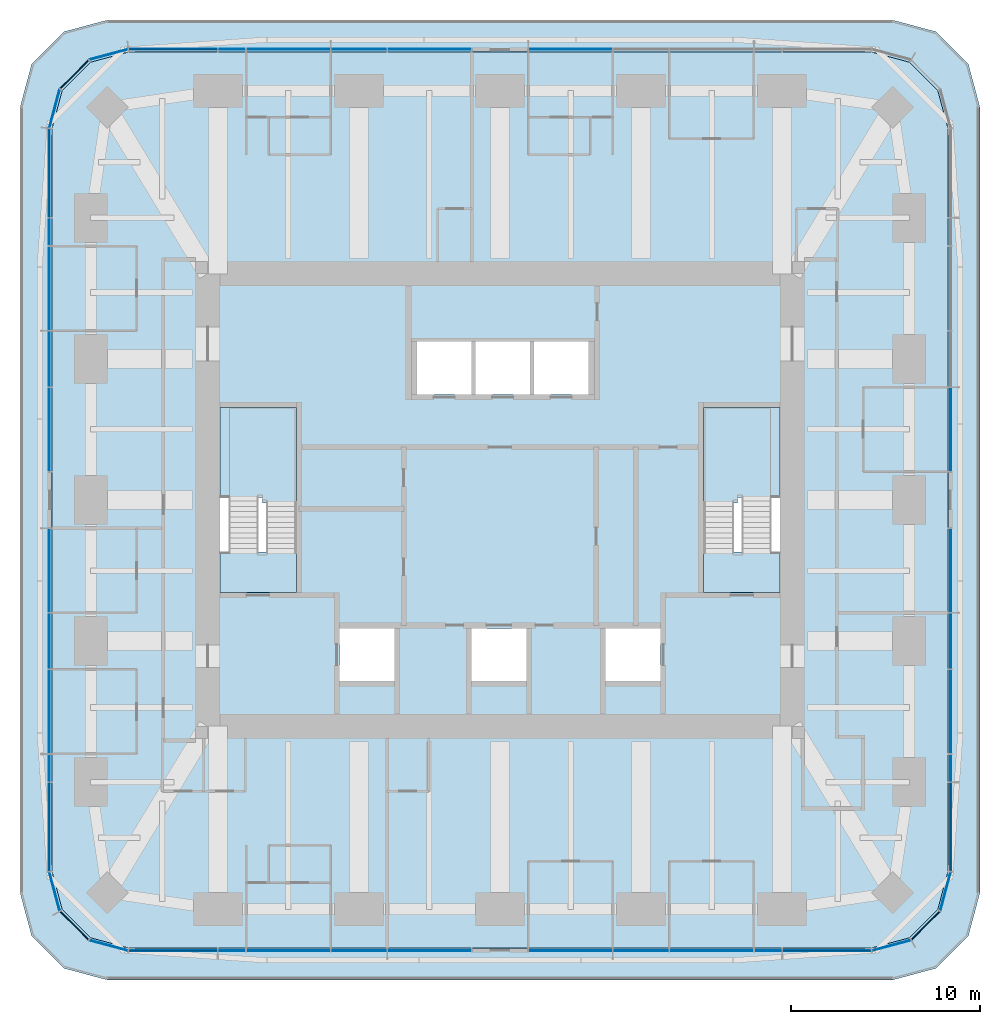
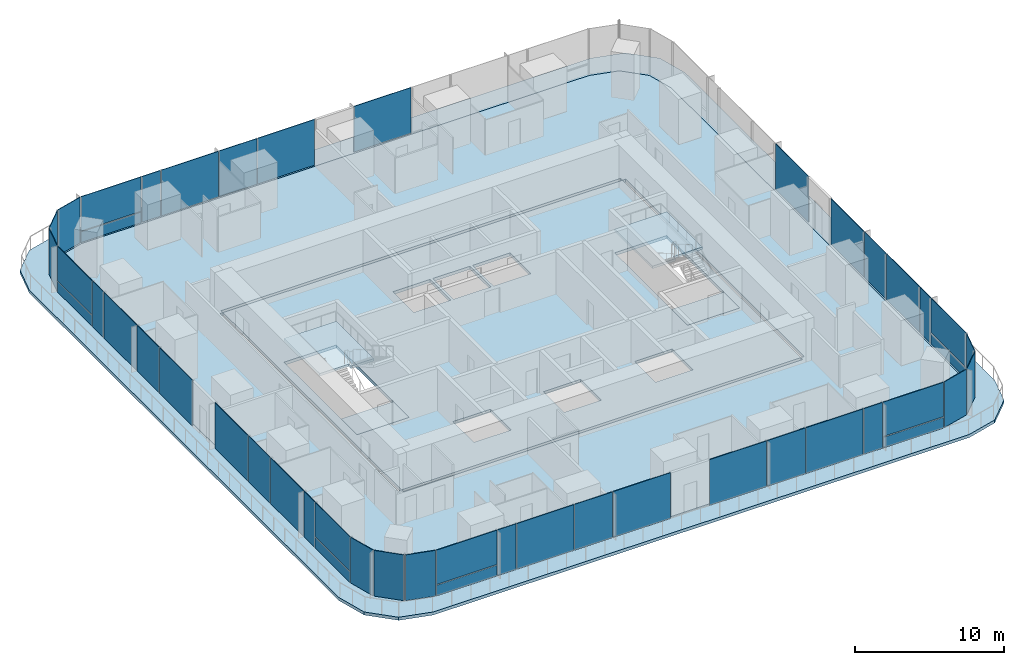
# One storey, part 7 of 15: 47 plates, 7 slabs, 9 elements without a shape of their own.
"""IFC4 building model written with IfcOpenShell, lengths in metres."""

from ifc_helpers import new_model, si_unit, direction, frame, origin, origin_2d, place, context, subcontext, project, spatial, polyline, rectangle, outline, extrude, material, layer, layer_set, type_object, element, aggregate, save


model = new_model("IFC4")

# Units and contexts
model_context = context("Model", 3, precision=1e-05, world=origin(), true_north=direction((0.0, 1.0)))
body_context = subcontext(model_context, "Body", "Model", "MODEL_VIEW")
ifc_project = project(units=[si_unit("LENGTHUNIT", "METRE"), si_unit("AREAUNIT", "SQUARE_METRE"), si_unit("VOLUMEUNIT", "CUBIC_METRE"), si_unit("PLANEANGLEUNIT", "RADIAN"), si_unit("MASSUNIT", "GRAM", prefix="KILO")], contexts=[model_context])

# Site, building, storey
site_placement = place(None, origin())
site = spatial("IfcSite", under=ifc_project, at=site_placement, CompositionType="ELEMENT")
building_placement = place(site_placement, origin())
building = spatial("IfcBuilding", under=site, at=building_placement, Name="Khuree Lantern Residences", CompositionType="ELEMENT")
storey_placement = place(building_placement, frame((0.0, 0.0, 285.75)))
storey = spatial("IfcBuildingStorey", under=building, at=storey_placement, Name="L71", CompositionType="ELEMENT", Elevation=285.75)

# Slab
ifc_material_1 = material(Name="Concrete C35/45", Category="concrete")
ifc_layer_1 = layer(ifc_material_1, 0.25)
ifc_layer_set_1 = layer_set([ifc_layer_1], Name="CFL250 CORE FLOOR SLAB 250")
slab_type_1 = type_object("IfcSlabType", Name="CFL250 CORE FLOOR SLAB 250", PredefinedType="FLOOR", material=ifc_layer_set_1)
slab_1_placement = place(storey_placement, frame((0.0, 0.0, -0.25)))
element("IfcSlab", 1, at=slab_1_placement, inside=storey, type_object=slab_type_1, Name="Core floor L71", PredefinedType="FLOOR", context=body_context, shape_type="SweptSolid", body=[
    extrude(outline(polyline([(-15.5, -12.0), (-15.5, 12.0), (15.5, 12.0), (15.5, -12.0), (-15.5, -12.0)]), holes=[polyline([(10.800048828125, 4.89990234375), (10.800048828125, -4.89990234375), (14.85009765625, -4.89990234375), (14.85009765625, 4.89990234375), (10.800048828125, 4.89990234375)]), polyline([(5.60009765625, -6.800048828125), (5.60009765625, -9.60009765625), (8.5, -9.60009765625), (8.5, -6.800048828125), (5.60009765625, -6.800048828125)]), polyline([(1.800048828125, 8.39990234375), (1.800048828125, 5.60009765625), (4.699951171875, 5.60009765625), (4.699951171875, 8.39990234375), (1.800048828125, 8.39990234375)]), polyline([(-1.300048828125, 8.39990234375), (-1.300048828125, 5.60009765625), (1.60009765625, 5.60009765625), (1.60009765625, 8.39990234375), (-1.300048828125, 8.39990234375)]), polyline([(-1.5, -6.800048828125), (-1.5, -9.60009765625), (1.39990234375, -9.60009765625), (1.39990234375, -6.800048828125), (-1.5, -6.800048828125)]), polyline([(-4.39990234375, 8.39990234375), (-4.39990234375, 5.60009765625), (-1.5, 5.60009765625), (-1.5, 8.39990234375), (-4.39990234375, 8.39990234375)]), polyline([(-8.5, -6.800048828125), (-8.5, -9.60009765625), (-5.60009765625, -9.60009765625), (-5.60009765625, -6.800048828125), (-8.5, -6.800048828125)]), polyline([(-14.85009765625, 4.89990234375), (-14.85009765625, -4.89990234375), (-10.800048828125, -4.89990234375), (-10.800048828125, 4.89990234375), (-14.85009765625, 4.89990234375)])]), origin(), (0.0, 0.0, 1.0), 0.25),
])

# Curtain wall, plates
ifc_material_2 = material(Name="Bronze anodised aluminium", Category="aluminium")
curtain_wall_type_1 = type_object("IfcCurtainWallType", Name="CW-T2 TOWER CORNER CURTAIN WALL", PredefinedType="USERDEFINED", material=ifc_material_2)
curtain_wall_1_placement = place(storey_placement, origin())
curtain_wall_1 = element("IfcCurtainWall", 2, at=curtain_wall_1_placement, inside=storey, type_object=curtain_wall_type_1, Name="L71 SOUTH-EAST CORNER CURTAIN WALL", ObjectType="Faceted corner curtain wall", PredefinedType="USERDEFINED")
ifc_material_3 = material(Name="Bronze tinted triple glazing", Category="glass")
ifc_layer_2 = layer(ifc_material_3, 0.048095703125)
ifc_layer_set_2 = layer_set([ifc_layer_2], Name="FACET PANEL P4")
plate_type_1 = type_object("IfcPlateType", Name="FACET PANEL P4", PredefinedType="CURTAIN_PANEL", material=ifc_layer_set_2)
plate_1_placement = place(storey_placement, frame((20.748046875, -23.619140625, 0.0), z_axis=(0.0, 0.0, 1.0), x_axis=(0.965925861257, 0.2588189146, 0.0)))
plate_1 = element("IfcPlate", 3, at=plate_1_placement, type_object=plate_type_1, Name="L71 SOUTH-EAST CORNER PANEL 1.1", PredefinedType="CURTAIN_PANEL", context=body_context, shape_type="SweptSolid", body=[
    extrude(rectangle(XDim=2.09814453125, YDim=0.048095703125, at=origin_2d()), origin(), (0.0, 0.0, 1.0), 3.75),
])
plate_2_placement = place(storey_placement, frame((22.568603515625, -22.568603515625, 0.0), z_axis=(0.0, 0.0, 1.0), x_axis=(0.707106781187, 0.707106781187, 0.0)))
plate_2 = element("IfcPlate", 4, at=plate_2_placement, type_object=plate_type_1, Name="L71 SOUTH-EAST CORNER PANEL 2.1", PredefinedType="CURTAIN_PANEL", context=body_context, shape_type="SweptSolid", body=[
    extrude(rectangle(XDim=2.093994140625, YDim=0.048095703125, at=origin_2d()), origin(), (0.0, 0.0, 1.0), 3.75),
])
plate_3_placement = place(storey_placement, frame((23.619140625, -20.748046875, 0.0), z_axis=(0.0, 0.0, 1.0), x_axis=(0.2588189146, 0.965925861257, 0.0)))
plate_3 = element("IfcPlate", 5, at=plate_3_placement, type_object=plate_type_1, Name="L71 SOUTH-EAST CORNER PANEL 3.1", PredefinedType="CURTAIN_PANEL", context=body_context, shape_type="SweptSolid", body=[
    extrude(rectangle(XDim=2.09814453125, YDim=0.048095703125, at=origin_2d()), origin(), (0.0, 0.0, 1.0), 3.75),
])
aggregate(curtain_wall_1, [plate_1, plate_2, plate_3])

curtain_wall_2_placement = place(storey_placement, origin())
curtain_wall_2 = element("IfcCurtainWall", 6, at=curtain_wall_2_placement, inside=storey, type_object=curtain_wall_type_1, Name="L71 NORTH-WEST CORNER CURTAIN WALL", ObjectType="Faceted corner curtain wall", PredefinedType="USERDEFINED")
plate_4_placement = place(storey_placement, frame((-20.748046875, 23.619140625, 0.0), z_axis=(0.0, 0.0, 1.0), x_axis=(-0.965925861257, -0.2588189146, 0.0)))
plate_4 = element("IfcPlate", 7, at=plate_4_placement, type_object=plate_type_1, Name="L71 NORTH-WEST CORNER PANEL 29.1", PredefinedType="CURTAIN_PANEL", context=body_context, shape_type="SweptSolid", body=[
    extrude(rectangle(XDim=2.09814453125, YDim=0.048095703125, at=origin_2d()), origin(), (0.0, 0.0, 1.0), 3.75),
])
plate_5_placement = place(storey_placement, frame((-22.568603515625, 22.568603515625, 0.0), z_axis=(0.0, 0.0, 1.0), x_axis=(-0.707106781187, -0.707106781187, 0.0)))
plate_5 = element("IfcPlate", 8, at=plate_5_placement, type_object=plate_type_1, Name="L71 NORTH-WEST CORNER PANEL 30.1", PredefinedType="CURTAIN_PANEL", context=body_context, shape_type="SweptSolid", body=[
    extrude(rectangle(XDim=2.093994140625, YDim=0.048095703125, at=origin_2d()), origin(), (0.0, 0.0, 1.0), 3.75),
])
plate_6_placement = place(storey_placement, frame((-23.619140625, 20.748046875, 0.0), z_axis=(0.0, 0.0, 1.0), x_axis=(-0.2588189146, -0.965925861257, 0.0)))
plate_6 = element("IfcPlate", 9, at=plate_6_placement, type_object=plate_type_1, Name="L71 NORTH-WEST CORNER PANEL 31.1", PredefinedType="CURTAIN_PANEL", context=body_context, shape_type="SweptSolid", body=[
    extrude(rectangle(XDim=2.09814453125, YDim=0.048095703125, at=origin_2d()), origin(), (0.0, 0.0, 1.0), 3.75),
])
aggregate(curtain_wall_2, [plate_4, plate_5, plate_6])

curtain_wall_3_placement = place(storey_placement, origin())
curtain_wall_3 = element("IfcCurtainWall", 10, at=curtain_wall_3_placement, inside=storey, type_object=curtain_wall_type_1, Name="L71 SOUTH-WEST CORNER CURTAIN WALL", ObjectType="Faceted corner curtain wall", PredefinedType="USERDEFINED")
plate_7_placement = place(storey_placement, frame((-23.619140625, -20.748046875, 0.0), z_axis=(0.0, 0.0, 1.0), x_axis=(0.2588189146, -0.965925861257, 0.0)))
plate_7 = element("IfcPlate", 11, at=plate_7_placement, type_object=plate_type_1, Name="L71 SOUTH-WEST CORNER PANEL 43.1", PredefinedType="CURTAIN_PANEL", context=body_context, shape_type="SweptSolid", body=[
    extrude(rectangle(XDim=2.09814453125, YDim=0.048095703125, at=origin_2d()), origin(), (0.0, 0.0, 1.0), 3.75),
])
plate_8_placement = place(storey_placement, frame((-22.568603515625, -22.568603515625, 0.0), z_axis=(0.0, 0.0, 1.0), x_axis=(0.707106781187, -0.707106781187, 0.0)))
plate_8 = element("IfcPlate", 12, at=plate_8_placement, type_object=plate_type_1, Name="L71 SOUTH-WEST CORNER PANEL 44.1", PredefinedType="CURTAIN_PANEL", context=body_context, shape_type="SweptSolid", body=[
    extrude(rectangle(XDim=2.093994140625, YDim=0.048095703125, at=origin_2d()), origin(), (0.0, 0.0, 1.0), 3.75),
])
plate_9_placement = place(storey_placement, frame((-20.748046875, -23.619140625, 0.0), z_axis=(0.0, 0.0, 1.0), x_axis=(0.965925861257, -0.2588189146, 0.0)))
plate_9 = element("IfcPlate", 13, at=plate_9_placement, type_object=plate_type_1, Name="L71 SOUTH-WEST CORNER PANEL 45.1", PredefinedType="CURTAIN_PANEL", context=body_context, shape_type="SweptSolid", body=[
    extrude(rectangle(XDim=2.09814453125, YDim=0.048095703125, at=origin_2d()), origin(), (0.0, 0.0, 1.0), 3.75),
])
aggregate(curtain_wall_3, [plate_7, plate_8, plate_9])

curtain_wall_type_2 = type_object("IfcCurtainWallType", Name="CW-T1 TOWER FACE CURTAIN WALL", PredefinedType="USERDEFINED", material=ifc_material_2)
curtain_wall_4_placement = place(storey_placement, origin())
curtain_wall_4 = element("IfcCurtainWall", 14, at=curtain_wall_4_placement, inside=storey, type_object=curtain_wall_type_2, Name="L71 EAST FACE CURTAIN WALL", ObjectType="Stick-built curtain wall", PredefinedType="USERDEFINED")
ifc_material_4 = material(Name="Bronze tinted triple glazing with a ceramic-fritted spandrel band", Category="glass")
ifc_layer_3 = layer(ifc_material_4, 0.048095703125)
ifc_layer_set_3 = layer_set([ifc_layer_3], Name="FIXED LIGHT PANEL P11")
plate_type_2 = type_object("IfcPlateType", Name="FIXED LIGHT PANEL P11", PredefinedType="CURTAIN_PANEL", material=ifc_layer_set_3)
plate_10_placement = place(storey_placement, frame((23.89990234375, -11.219970703125, 0.0), z_axis=(0.0, 0.0, 1.0), x_axis=(0.0, 1.0, 0.0)))
plate_10 = element("IfcPlate", 15, at=plate_10_placement, type_object=plate_type_2, Name="L71 EAST FACE PANEL 6.1", PredefinedType="CURTAIN_PANEL", context=body_context, shape_type="SweptSolid", body=[
    extrude(rectangle(XDim=4.423095703125, YDim=0.048095703125, at=origin_2d()), origin(), (0.0, 0.0, 1.0), 3.75),
])
plate_11_placement = place(storey_placement, frame((23.89990234375, -3.739990234375, 0.0), z_axis=(0.0, 0.0, 1.0), x_axis=(0.0, 1.0, 0.0)))
plate_11 = element("IfcPlate", 16, at=plate_11_placement, type_object=plate_type_2, Name="L71 EAST FACE PANEL 8.1", PredefinedType="CURTAIN_PANEL", context=body_context, shape_type="SweptSolid", body=[
    extrude(rectangle(XDim=4.423095703125, YDim=0.048095703125, at=origin_2d()), origin(), (0.0, 0.0, 1.0), 3.75),
])
plate_12_placement = place(storey_placement, frame((23.89990234375, 3.739990234375, 0.0), z_axis=(0.0, 0.0, 1.0), x_axis=(0.0, 1.0, 0.0)))
plate_12 = element("IfcPlate", 17, at=plate_12_placement, type_object=plate_type_2, Name="L71 EAST FACE PANEL 10.1", PredefinedType="CURTAIN_PANEL", context=body_context, shape_type="SweptSolid", body=[
    extrude(rectangle(XDim=4.423095703125, YDim=0.048095703125, at=origin_2d()), origin(), (0.0, 0.0, 1.0), 3.75),
])

curtain_wall_5_placement = place(storey_placement, origin())
curtain_wall_5 = element("IfcCurtainWall", 18, at=curtain_wall_5_placement, inside=storey, type_object=curtain_wall_type_2, Name="L71 NORTH FACE CURTAIN WALL", ObjectType="Stick-built curtain wall", PredefinedType="USERDEFINED")
plate_13_placement = place(storey_placement, frame((3.739990234375, 23.89990234375, 0.0), z_axis=(0.0, 0.0, 1.0), x_axis=(-1.0, 0.0, 0.0)))
plate_13 = element("IfcPlate", 19, at=plate_13_placement, type_object=plate_type_2, Name="L71 NORTH FACE PANEL 22.1", PredefinedType="CURTAIN_PANEL", context=body_context, shape_type="SweptSolid", body=[
    extrude(rectangle(XDim=4.423095703125, YDim=0.048095703125, at=origin_2d()), origin(), (0.0, 0.0, 1.0), 3.75),
])
plate_14_placement = place(storey_placement, frame((-3.739990234375, 23.89990234375, 0.0), z_axis=(0.0, 0.0, 1.0), x_axis=(-1.0, 0.0, 0.0)))
plate_14 = element("IfcPlate", 20, at=plate_14_placement, type_object=plate_type_2, Name="L71 NORTH FACE PANEL 24.1", PredefinedType="CURTAIN_PANEL", context=body_context, shape_type="SweptSolid", body=[
    extrude(rectangle(XDim=4.423095703125, YDim=0.048095703125, at=origin_2d()), origin(), (0.0, 0.0, 1.0), 3.75),
])
plate_15_placement = place(storey_placement, frame((-11.219970703125, 23.89990234375, 0.0), z_axis=(0.0, 0.0, 1.0), x_axis=(-1.0, 0.0, 0.0)))
plate_15 = element("IfcPlate", 21, at=plate_15_placement, type_object=plate_type_2, Name="L71 NORTH FACE PANEL 26.1", PredefinedType="CURTAIN_PANEL", context=body_context, shape_type="SweptSolid", body=[
    extrude(rectangle(XDim=4.423095703125, YDim=0.048095703125, at=origin_2d()), origin(), (0.0, 0.0, 1.0), 3.75),
])

curtain_wall_6_placement = place(storey_placement, origin())
curtain_wall_6 = element("IfcCurtainWall", 22, at=curtain_wall_6_placement, inside=storey, type_object=curtain_wall_type_2, Name="L71 WEST FACE CURTAIN WALL", ObjectType="Stick-built curtain wall", PredefinedType="USERDEFINED")
plate_16_placement = place(storey_placement, frame((-23.89990234375, 11.219970703125, 0.0), z_axis=(0.0, 0.0, 1.0), x_axis=(0.0, -1.0, 0.0)))
plate_16 = element("IfcPlate", 23, at=plate_16_placement, type_object=plate_type_2, Name="L71 WEST FACE PANEL 34.1", PredefinedType="CURTAIN_PANEL", context=body_context, shape_type="SweptSolid", body=[
    extrude(rectangle(XDim=4.423095703125, YDim=0.048095703125, at=origin_2d()), origin(), (0.0, 0.0, 1.0), 3.75),
])
plate_17_placement = place(storey_placement, frame((-23.89990234375, 3.739990234375, 0.0), z_axis=(0.0, 0.0, 1.0), x_axis=(0.0, -1.0, 0.0)))
plate_17 = element("IfcPlate", 24, at=plate_17_placement, type_object=plate_type_2, Name="L71 WEST FACE PANEL 36.1", PredefinedType="CURTAIN_PANEL", context=body_context, shape_type="SweptSolid", body=[
    extrude(rectangle(XDim=4.423095703125, YDim=0.048095703125, at=origin_2d()), origin(), (0.0, 0.0, 1.0), 3.75),
])
plate_18_placement = place(storey_placement, frame((-23.89990234375, -3.739990234375, 0.0), z_axis=(0.0, 0.0, 1.0), x_axis=(0.0, -1.0, 0.0)))
plate_18 = element("IfcPlate", 25, at=plate_18_placement, type_object=plate_type_2, Name="L71 WEST FACE PANEL 38.1", PredefinedType="CURTAIN_PANEL", context=body_context, shape_type="SweptSolid", body=[
    extrude(rectangle(XDim=4.423095703125, YDim=0.048095703125, at=origin_2d()), origin(), (0.0, 0.0, 1.0), 3.75),
])
plate_19_placement = place(storey_placement, frame((-23.89990234375, -11.219970703125, 0.0), z_axis=(0.0, 0.0, 1.0), x_axis=(0.0, -1.0, 0.0)))
plate_19 = element("IfcPlate", 26, at=plate_19_placement, type_object=plate_type_2, Name="L71 WEST FACE PANEL 40.1", PredefinedType="CURTAIN_PANEL", context=body_context, shape_type="SweptSolid", body=[
    extrude(rectangle(XDim=4.423095703125, YDim=0.048095703125, at=origin_2d()), origin(), (0.0, 0.0, 1.0), 3.75),
])

curtain_wall_7_placement = place(storey_placement, origin())
curtain_wall_7 = element("IfcCurtainWall", 27, at=curtain_wall_7_placement, inside=storey, type_object=curtain_wall_type_2, Name="L71 SOUTH FACE CURTAIN WALL", ObjectType="Stick-built curtain wall", PredefinedType="USERDEFINED")
plate_20_placement = place(storey_placement, frame((-11.219970703125, -23.89990234375, 0.0), z_axis=(0.0, 0.0, 1.0), x_axis=(1.0, 0.0, 0.0)))
plate_20 = element("IfcPlate", 28, at=plate_20_placement, type_object=plate_type_2, Name="L71 SOUTH FACE PANEL 48.1", PredefinedType="CURTAIN_PANEL", context=body_context, shape_type="SweptSolid", body=[
    extrude(rectangle(XDim=4.423095703125, YDim=0.048095703125, at=origin_2d()), origin(), (0.0, 0.0, 1.0), 3.75),
])
plate_21_placement = place(storey_placement, frame((-3.739990234375, -23.89990234375, 0.0), z_axis=(0.0, 0.0, 1.0), x_axis=(1.0, 0.0, 0.0)))
plate_21 = element("IfcPlate", 29, at=plate_21_placement, type_object=plate_type_2, Name="L71 SOUTH FACE PANEL 50.1", PredefinedType="CURTAIN_PANEL", context=body_context, shape_type="SweptSolid", body=[
    extrude(rectangle(XDim=4.423095703125, YDim=0.048095703125, at=origin_2d()), origin(), (0.0, 0.0, 1.0), 3.75),
])
plate_22_placement = place(storey_placement, frame((3.739990234375, -23.89990234375, 0.0), z_axis=(0.0, 0.0, 1.0), x_axis=(1.0, 0.0, 0.0)))
plate_22 = element("IfcPlate", 30, at=plate_22_placement, type_object=plate_type_2, Name="L71 SOUTH FACE PANEL 52.1", PredefinedType="CURTAIN_PANEL", context=body_context, shape_type="SweptSolid", body=[
    extrude(rectangle(XDim=4.423095703125, YDim=0.048095703125, at=origin_2d()), origin(), (0.0, 0.0, 1.0), 3.75),
])
plate_23_placement = place(storey_placement, frame((11.219970703125, -23.89990234375, 0.0), z_axis=(0.0, 0.0, 1.0), x_axis=(1.0, 0.0, 0.0)))
plate_23 = element("IfcPlate", 31, at=plate_23_placement, type_object=plate_type_2, Name="L71 SOUTH FACE PANEL 54.1", PredefinedType="CURTAIN_PANEL", context=body_context, shape_type="SweptSolid", body=[
    extrude(rectangle(XDim=4.423095703125, YDim=0.048095703125, at=origin_2d()), origin(), (0.0, 0.0, 1.0), 3.75),
])

# Slab
ifc_layer_4 = layer(ifc_material_1, 0.25)
ifc_layer_set_4 = layer_set([ifc_layer_4], Name="FS250 FLOOR SLAB 250")
slab_type_2 = type_object("IfcSlabType", Name="FS250 FLOOR SLAB 250", PredefinedType="FLOOR", material=ifc_layer_set_4)
slab_2_placement = place(storey_placement, frame((0.0, 0.0, -0.25)))
element("IfcSlab", 32, at=slab_2_placement, inside=storey, type_object=slab_type_2, Name="Floor slab L71", PredefinedType="FLOOR", context=body_context, shape_type="SweptSolid", body=[
    extrude(outline(polyline([(-21.72509765625, -23.20751953125), (-23.20751953125, -21.72509765625), (-23.75, -19.699951171875), (-23.75, 19.699951171875), (-23.20751953125, 21.72509765625), (-21.72509765625, 23.20751953125), (-19.699951171875, 23.75), (19.699951171875, 23.75), (21.72509765625, 23.20751953125), (23.20751953125, 21.72509765625), (23.75, 19.699951171875), (23.75, -19.699951171875), (23.20751953125, -21.72509765625), (21.72509765625, -23.20751953125), (19.699951171875, -23.75), (-19.699951171875, -23.75), (-21.72509765625, -23.20751953125)]), holes=[polyline([(15.75, 12.0), (15.5, 12.0), (15.5, 12.25), (-15.5, 12.25), (-15.5, 12.0), (-15.75, 12.0), (-15.75, -12.0), (-15.5, -12.0), (-15.5, -12.25), (15.5, -12.25), (15.5, -12.0), (15.75, -12.0), (15.75, 12.0)])]), origin(), (0.0, 0.0, 1.0), 0.25),
])

# Plate
ifc_material_5 = material(Name="Bronze tinted triple glazing, two aluminium-framed sashes in one frame", Category="aluminium")
ifc_layer_5 = layer(ifc_material_5, 0.048095703125)
ifc_layer_set_5 = layer_set([ifc_layer_5], Name="SASH PAIR PANEL P12")
plate_type_3 = type_object("IfcPlateType", Name="SASH PAIR PANEL P12", PredefinedType="CURTAIN_PANEL", material=ifc_layer_set_5)
plate_24_placement = place(storey_placement, frame((23.89990234375, -7.47998046875, 0.0), z_axis=(0.0, 0.0, 1.0), x_axis=(0.0, 1.0, 0.0)))
plate_24 = element("IfcPlate", 33, at=plate_24_placement, type_object=plate_type_3, Name="L71 EAST FACE PANEL 7.1", PredefinedType="CURTAIN_PANEL", context=body_context, shape_type="SweptSolid", body=[
    extrude(rectangle(XDim=2.927001953125, YDim=0.048095703125, at=origin_2d()), origin(), (0.0, 0.0, 1.0), 3.75),
])

plate_25_placement = place(storey_placement, frame((-7.47998046875, 23.89990234375, 0.0), z_axis=(0.0, 0.0, 1.0), x_axis=(-1.0, 0.0, 0.0)))
plate_25 = element("IfcPlate", 34, at=plate_25_placement, type_object=plate_type_3, Name="L71 NORTH FACE PANEL 25.1", PredefinedType="CURTAIN_PANEL", context=body_context, shape_type="SweptSolid", body=[
    extrude(rectangle(XDim=2.927001953125, YDim=0.048095703125, at=origin_2d()), origin(), (0.0, 0.0, 1.0), 3.75),
])

plate_26_placement = place(storey_placement, frame((-23.89990234375, 7.47998046875, 0.0), z_axis=(0.0, 0.0, 1.0), x_axis=(0.0, -1.0, 0.0)))
plate_26 = element("IfcPlate", 35, at=plate_26_placement, type_object=plate_type_3, Name="L71 WEST FACE PANEL 35.1", PredefinedType="CURTAIN_PANEL", context=body_context, shape_type="SweptSolid", body=[
    extrude(rectangle(XDim=2.927001953125, YDim=0.048095703125, at=origin_2d()), origin(), (0.0, 0.0, 1.0), 3.75),
])

plate_27_placement = place(storey_placement, frame((-23.89990234375, -7.47998046875, 0.0), z_axis=(0.0, 0.0, 1.0), x_axis=(0.0, -1.0, 0.0)))
plate_27 = element("IfcPlate", 36, at=plate_27_placement, type_object=plate_type_3, Name="L71 WEST FACE PANEL 39.1", PredefinedType="CURTAIN_PANEL", context=body_context, shape_type="SweptSolid", body=[
    extrude(rectangle(XDim=2.927001953125, YDim=0.048095703125, at=origin_2d()), origin(), (0.0, 0.0, 1.0), 3.75),
])

plate_28_placement = place(storey_placement, frame((-7.47998046875, -23.89990234375, 0.0), z_axis=(0.0, 0.0, 1.0), x_axis=(1.0, 0.0, 0.0)))
plate_28 = element("IfcPlate", 37, at=plate_28_placement, type_object=plate_type_3, Name="L71 SOUTH FACE PANEL 49.1", PredefinedType="CURTAIN_PANEL", context=body_context, shape_type="SweptSolid", body=[
    extrude(rectangle(XDim=2.927001953125, YDim=0.048095703125, at=origin_2d()), origin(), (0.0, 0.0, 1.0), 3.75),
])

plate_29_placement = place(storey_placement, frame((7.47998046875, -23.89990234375, 0.0), z_axis=(0.0, 0.0, 1.0), x_axis=(1.0, 0.0, 0.0)))
plate_29 = element("IfcPlate", 38, at=plate_29_placement, type_object=plate_type_3, Name="L71 SOUTH FACE PANEL 53.1", PredefinedType="CURTAIN_PANEL", context=body_context, shape_type="SweptSolid", body=[
    extrude(rectangle(XDim=2.927001953125, YDim=0.048095703125, at=origin_2d()), origin(), (0.0, 0.0, 1.0), 3.75),
])

ifc_material_6 = material(Name="Bronze tinted triple glazing, aluminium-framed sash", Category="aluminium")
ifc_layer_6 = layer(ifc_material_6, 0.048095703125)
ifc_layer_set_6 = layer_set([ifc_layer_6], Name="SASH PANEL P3")
plate_type_4 = type_object("IfcPlateType", Name="SASH PANEL P3", PredefinedType="CURTAIN_PANEL", material=ifc_layer_set_6)
plate_30_placement = place(storey_placement, frame((23.89990234375, -14.2119140625, 0.0), z_axis=(0.0, 0.0, 1.0), x_axis=(0.0, 1.0, 0.0)))
plate_30 = element("IfcPlate", 39, at=plate_30_placement, type_object=plate_type_4, Name="L71 EAST FACE PANEL 5.1", PredefinedType="CURTAIN_PANEL", context=body_context, shape_type="SweptSolid", body=[
    extrude(rectangle(XDim=1.430908203125, YDim=0.048095703125, at=origin_2d()), origin(), (0.0, 0.0, 1.0), 3.75),
])

plate_31_placement = place(storey_placement, frame((-14.2119140625, 23.89990234375, 0.0), z_axis=(0.0, 0.0, 1.0), x_axis=(-1.0, 0.0, 0.0)))
plate_31 = element("IfcPlate", 40, at=plate_31_placement, type_object=plate_type_4, Name="L71 NORTH FACE PANEL 27.1", PredefinedType="CURTAIN_PANEL", context=body_context, shape_type="SweptSolid", body=[
    extrude(rectangle(XDim=1.430908203125, YDim=0.048095703125, at=origin_2d()), origin(), (0.0, 0.0, 1.0), 3.75),
])

plate_32_placement = place(storey_placement, frame((-23.89990234375, 14.2119140625, 0.0), z_axis=(0.0, 0.0, 1.0), x_axis=(0.0, -1.0, 0.0)))
plate_32 = element("IfcPlate", 41, at=plate_32_placement, type_object=plate_type_4, Name="L71 WEST FACE PANEL 33.1", PredefinedType="CURTAIN_PANEL", context=body_context, shape_type="SweptSolid", body=[
    extrude(rectangle(XDim=1.430908203125, YDim=0.048095703125, at=origin_2d()), origin(), (0.0, 0.0, 1.0), 3.75),
])

plate_33_placement = place(storey_placement, frame((-23.89990234375, -14.2119140625, 0.0), z_axis=(0.0, 0.0, 1.0), x_axis=(0.0, -1.0, 0.0)))
plate_33 = element("IfcPlate", 42, at=plate_33_placement, type_object=plate_type_4, Name="L71 WEST FACE PANEL 41.1", PredefinedType="CURTAIN_PANEL", context=body_context, shape_type="SweptSolid", body=[
    extrude(rectangle(XDim=1.430908203125, YDim=0.048095703125, at=origin_2d()), origin(), (0.0, 0.0, 1.0), 3.75),
])

plate_34_placement = place(storey_placement, frame((-14.2119140625, -23.89990234375, 0.0), z_axis=(0.0, 0.0, 1.0), x_axis=(1.0, 0.0, 0.0)))
plate_34 = element("IfcPlate", 43, at=plate_34_placement, type_object=plate_type_4, Name="L71 SOUTH FACE PANEL 47.1", PredefinedType="CURTAIN_PANEL", context=body_context, shape_type="SweptSolid", body=[
    extrude(rectangle(XDim=1.430908203125, YDim=0.048095703125, at=origin_2d()), origin(), (0.0, 0.0, 1.0), 3.75),
])

plate_35_placement = place(storey_placement, frame((14.2119140625, -23.89990234375, 0.0), z_axis=(0.0, 0.0, 1.0), x_axis=(1.0, 0.0, 0.0)))
plate_35 = element("IfcPlate", 44, at=plate_35_placement, type_object=plate_type_4, Name="L71 SOUTH FACE PANEL 55.1", PredefinedType="CURTAIN_PANEL", context=body_context, shape_type="SweptSolid", body=[
    extrude(rectangle(XDim=1.430908203125, YDim=0.048095703125, at=origin_2d()), origin(), (0.0, 0.0, 1.0), 3.75),
])

ifc_material_7 = material(Name="Bronze anodised aluminium insulated spandrel", Category="aluminium")
ifc_layer_7 = layer(ifc_material_7, 0.06005859375)
ifc_layer_set_7 = layer_set([ifc_layer_7], Name="SPANDREL PANEL P2")
plate_type_5 = type_object("IfcPlateType", Name="SPANDREL PANEL P2", PredefinedType="CURTAIN_PANEL", material=ifc_layer_set_7)
plate_36_placement = place(storey_placement, frame((23.89990234375, -17.327880859375, 0.0), z_axis=(0.0, 0.0, 1.0), x_axis=(0.0, 1.0, 0.0)))
plate_36 = element("IfcPlate", 45, at=plate_36_placement, type_object=plate_type_5, Name="L71 EAST FACE PANEL 4.1", PredefinedType="CURTAIN_PANEL", context=body_context, shape_type="SweptSolid", body=[
    extrude(rectangle(XDim=4.670654296875, YDim=0.06005859375, at=origin_2d()), origin(), (0.0, 0.0, 1.0), 0.867431640625),
])

plate_37_placement = place(storey_placement, frame((-17.327880859375, 23.89990234375, 0.0), z_axis=(0.0, 0.0, 1.0), x_axis=(-1.0, 0.0, 0.0)))
plate_37 = element("IfcPlate", 46, at=plate_37_placement, type_object=plate_type_5, Name="L71 NORTH FACE PANEL 28.1", PredefinedType="CURTAIN_PANEL", context=body_context, shape_type="SweptSolid", body=[
    extrude(rectangle(XDim=4.670654296875, YDim=0.06005859375, at=origin_2d()), origin(), (0.0, 0.0, 1.0), 0.867431640625),
])

plate_38_placement = place(storey_placement, frame((-23.89990234375, 17.327880859375, 0.0), z_axis=(0.0, 0.0, 1.0), x_axis=(0.0, -1.0, 0.0)))
plate_38 = element("IfcPlate", 47, at=plate_38_placement, type_object=plate_type_5, Name="L71 WEST FACE PANEL 32.1", PredefinedType="CURTAIN_PANEL", context=body_context, shape_type="SweptSolid", body=[
    extrude(rectangle(XDim=4.670654296875, YDim=0.06005859375, at=origin_2d()), origin(), (0.0, 0.0, 1.0), 0.867431640625),
])

plate_39_placement = place(storey_placement, frame((-23.89990234375, -17.327880859375, 0.0), z_axis=(0.0, 0.0, 1.0), x_axis=(0.0, -1.0, 0.0)))
plate_39 = element("IfcPlate", 48, at=plate_39_placement, type_object=plate_type_5, Name="L71 WEST FACE PANEL 42.1", PredefinedType="CURTAIN_PANEL", context=body_context, shape_type="SweptSolid", body=[
    extrude(rectangle(XDim=4.670654296875, YDim=0.06005859375, at=origin_2d()), origin(), (0.0, 0.0, 1.0), 0.867431640625),
])

plate_40_placement = place(storey_placement, frame((-17.327880859375, -23.89990234375, 0.0), z_axis=(0.0, 0.0, 1.0), x_axis=(1.0, 0.0, 0.0)))
plate_40 = element("IfcPlate", 49, at=plate_40_placement, type_object=plate_type_5, Name="L71 SOUTH FACE PANEL 46.1", PredefinedType="CURTAIN_PANEL", context=body_context, shape_type="SweptSolid", body=[
    extrude(rectangle(XDim=4.670654296875, YDim=0.06005859375, at=origin_2d()), origin(), (0.0, 0.0, 1.0), 0.867431640625),
])

plate_41_placement = place(storey_placement, frame((17.327880859375, -23.89990234375, 0.0), z_axis=(0.0, 0.0, 1.0), x_axis=(1.0, 0.0, 0.0)))
plate_41 = element("IfcPlate", 50, at=plate_41_placement, type_object=plate_type_5, Name="L71 SOUTH FACE PANEL 56.1", PredefinedType="CURTAIN_PANEL", context=body_context, shape_type="SweptSolid", body=[
    extrude(rectangle(XDim=4.670654296875, YDim=0.06005859375, at=origin_2d()), origin(), (0.0, 0.0, 1.0), 0.867431640625),
])

# Stair, slabs
ifc_material_8 = material(Name="Concrete C40/50", Category="concrete")
stair_type = type_object("IfcStairType", Name="STAIR ST1 HALF TURN 3600", PredefinedType="HALF_TURN_STAIR", material=ifc_material_8)
stair_1_placement = place(storey_placement, origin())
stair_1 = element("IfcStair", 51, at=stair_1_placement, inside=storey, type_object=stair_type, Name="Stair ST1", PredefinedType="HALF_TURN_STAIR")
ifc_layer_8 = layer(ifc_material_8, 0.199951171875)
ifc_layer_set_8 = layer_set([ifc_layer_8], Name="STAIR LANDING SL1 200")
slab_type_3 = type_object("IfcSlabType", Name="STAIR LANDING SL1 200", PredefinedType="LANDING", material=ifc_layer_set_8)
slab_3_placement = place(storey_placement, frame((0.0, 0.0, -0.199951171875)))
slab_3 = element("IfcSlab", 52, at=slab_3_placement, type_object=slab_type_3, Name="ST1 landing 1", PredefinedType="LANDING", context=body_context, shape_type="SweptSolid", body=[
    extrude(outline(polyline([(-14.85009765625, -4.89990234375), (-10.800048828125, -4.89990234375), (-10.800048828125, -2.760009765625), (-14.85009765625, -2.760009765625), (-14.85009765625, -4.89990234375)])), origin(), (0.0, 0.0, 1.0), 0.199951171875),
])
slab_4_placement = place(storey_placement, frame((0.0, 0.0, 1.756591796875)))
slab_4 = element("IfcSlab", 53, at=slab_4_placement, type_object=slab_type_3, Name="ST1 landing 2", PredefinedType="LANDING", context=body_context, shape_type="SweptSolid", body=[
    extrude(outline(polyline([(-14.85009765625, 0.1201171875), (-14.85009765625, 4.89990234375), (-10.800048828125, 4.89990234375), (-10.800048828125, -0.159912109375), (-12.60009765625, -0.159912109375), (-12.60009765625, 0.1201171875), (-14.85009765625, 0.1201171875)])), origin(), (0.0, 0.0, 1.0), 0.199951171875),
])
aggregate(stair_1, [slab_3, slab_4])

stair_2_placement = place(storey_placement, origin())
stair_2 = element("IfcStair", 54, at=stair_2_placement, inside=storey, type_object=stair_type, Name="Stair ST2", PredefinedType="HALF_TURN_STAIR")
slab_5_placement = place(storey_placement, frame((0.0, 0.0, -0.199951171875)))
slab_5 = element("IfcSlab", 55, at=slab_5_placement, type_object=slab_type_3, Name="ST2 landing 1", PredefinedType="LANDING", context=body_context, shape_type="SweptSolid", body=[
    extrude(outline(polyline([(10.800048828125, -4.89990234375), (14.85009765625, -4.89990234375), (14.85009765625, -2.760009765625), (10.800048828125, -2.760009765625), (10.800048828125, -4.89990234375)])), origin(), (0.0, 0.0, 1.0), 0.199951171875),
])
slab_6_placement = place(storey_placement, frame((0.0, 0.0, 1.756591796875)))
slab_6 = element("IfcSlab", 56, at=slab_6_placement, type_object=slab_type_3, Name="ST2 landing 2", PredefinedType="LANDING", context=body_context, shape_type="SweptSolid", body=[
    extrude(outline(polyline([(14.85009765625, 4.89990234375), (14.85009765625, 0.1201171875), (12.60009765625, 0.1201171875), (12.60009765625, -0.159912109375), (10.800048828125, -0.159912109375), (10.800048828125, 4.89990234375), (14.85009765625, 4.89990234375)])), origin(), (0.0, 0.0, 1.0), 0.199951171875),
])
aggregate(stair_2, [slab_5, slab_6])

# Slab
ifc_layer_9 = layer(ifc_material_1, 0.25)
ifc_layer_set_9 = layer_set([ifc_layer_9], Name="TS250 TERRACE SLAB 250")
slab_type_4 = type_object("IfcSlabType", Name="TS250 TERRACE SLAB 250", PredefinedType="FLOOR", material=ifc_layer_set_9)
slab_7_placement = place(storey_placement, frame((0.0, 0.0, -0.25)))
element("IfcSlab", 57, at=slab_7_placement, inside=storey, type_object=slab_type_4, Name="Terrace L71", PredefinedType="FLOOR", context=body_context, shape_type="SweptSolid", body=[
    extrude(outline(polyline([(-23.125, -24.826904296875), (-24.826904296875, -23.125), (-25.449951171875, -20.800048828125), (-25.449951171875, 20.800048828125), (-24.826904296875, 23.125), (-23.125, 24.826904296875), (-20.800048828125, 25.449951171875), (20.800048828125, 25.449951171875), (23.125, 24.826904296875), (24.826904296875, 23.125), (25.449951171875, 20.800048828125), (25.449951171875, -20.800048828125), (24.826904296875, -23.125), (23.125, -24.826904296875), (20.800048828125, -25.449951171875), (-20.800048828125, -25.449951171875), (-23.125, -24.826904296875)]), holes=[polyline([(23.20751953125, -21.72509765625), (23.75, -19.699951171875), (23.75, 19.699951171875), (23.20751953125, 21.72509765625), (21.72509765625, 23.20751953125), (19.699951171875, 23.75), (-19.699951171875, 23.75), (-21.72509765625, 23.20751953125), (-23.20751953125, 21.72509765625), (-23.75, 19.699951171875), (-23.75, -19.699951171875), (-23.20751953125, -21.72509765625), (-21.72509765625, -23.20751953125), (-19.699951171875, -23.75), (19.699951171875, -23.75), (21.72509765625, -23.20751953125), (23.20751953125, -21.72509765625)])]), origin(), (0.0, 0.0, 1.0), 0.25),
])

# Plate
ifc_layer_10 = layer(ifc_material_3, 0.048095703125)
ifc_layer_set_10 = layer_set([ifc_layer_10], Name="VISION PANEL P1")
plate_type_6 = type_object("IfcPlateType", Name="VISION PANEL P1", PredefinedType="CURTAIN_PANEL", material=ifc_layer_set_10)
plate_42_placement = place(storey_placement, frame((23.89990234375, -17.328369140625, 0.9326171875), z_axis=(0.0, 0.0, 1.0), x_axis=(0.0, 1.0, 0.0)))
plate_42 = element("IfcPlate", 58, at=plate_42_placement, type_object=plate_type_6, Name="L71 EAST FACE PANEL 4.2", PredefinedType="CURTAIN_PANEL", context=body_context, shape_type="SweptSolid", body=[
    extrude(rectangle(XDim=4.671630859375, YDim=0.048095703125, at=origin_2d()), origin(), (0.0, 0.0, 1.0), 2.8173828125),
])

aggregate(curtain_wall_4, [plate_36, plate_42, plate_30, plate_10, plate_24, plate_11, plate_12])

plate_43_placement = place(storey_placement, frame((-17.328369140625, 23.89990234375, 0.9326171875), z_axis=(0.0, 0.0, 1.0), x_axis=(-1.0, 0.0, 0.0)))
plate_43 = element("IfcPlate", 59, at=plate_43_placement, type_object=plate_type_6, Name="L71 NORTH FACE PANEL 28.2", PredefinedType="CURTAIN_PANEL", context=body_context, shape_type="SweptSolid", body=[
    extrude(rectangle(XDim=4.671630859375, YDim=0.048095703125, at=origin_2d()), origin(), (0.0, 0.0, 1.0), 2.8173828125),
])

aggregate(curtain_wall_5, [plate_13, plate_14, plate_25, plate_15, plate_31, plate_37, plate_43])

plate_44_placement = place(storey_placement, frame((-23.89990234375, 17.328369140625, 0.9326171875), z_axis=(0.0, 0.0, 1.0), x_axis=(0.0, -1.0, 0.0)))
plate_44 = element("IfcPlate", 60, at=plate_44_placement, type_object=plate_type_6, Name="L71 WEST FACE PANEL 32.2", PredefinedType="CURTAIN_PANEL", context=body_context, shape_type="SweptSolid", body=[
    extrude(rectangle(XDim=4.671630859375, YDim=0.048095703125, at=origin_2d()), origin(), (0.0, 0.0, 1.0), 2.8173828125),
])

plate_45_placement = place(storey_placement, frame((-23.89990234375, -17.328369140625, 0.9326171875), z_axis=(0.0, 0.0, 1.0), x_axis=(0.0, -1.0, 0.0)))
plate_45 = element("IfcPlate", 61, at=plate_45_placement, type_object=plate_type_6, Name="L71 WEST FACE PANEL 42.2", PredefinedType="CURTAIN_PANEL", context=body_context, shape_type="SweptSolid", body=[
    extrude(rectangle(XDim=4.671630859375, YDim=0.048095703125, at=origin_2d()), origin(), (0.0, 0.0, 1.0), 2.8173828125),
])

aggregate(curtain_wall_6, [plate_38, plate_44, plate_32, plate_16, plate_26, plate_17, plate_18, plate_27, plate_19, plate_33, plate_39, plate_45])

plate_46_placement = place(storey_placement, frame((-17.328369140625, -23.89990234375, 0.9326171875), z_axis=(0.0, 0.0, 1.0), x_axis=(1.0, 0.0, 0.0)))
plate_46 = element("IfcPlate", 62, at=plate_46_placement, type_object=plate_type_6, Name="L71 SOUTH FACE PANEL 46.2", PredefinedType="CURTAIN_PANEL", context=body_context, shape_type="SweptSolid", body=[
    extrude(rectangle(XDim=4.671630859375, YDim=0.048095703125, at=origin_2d()), origin(), (0.0, 0.0, 1.0), 2.8173828125),
])

plate_47_placement = place(storey_placement, frame((17.328369140625, -23.89990234375, 0.9326171875), z_axis=(0.0, 0.0, 1.0), x_axis=(1.0, 0.0, 0.0)))
plate_47 = element("IfcPlate", 63, at=plate_47_placement, type_object=plate_type_6, Name="L71 SOUTH FACE PANEL 56.2", PredefinedType="CURTAIN_PANEL", context=body_context, shape_type="SweptSolid", body=[
    extrude(rectangle(XDim=4.671630859375, YDim=0.048095703125, at=origin_2d()), origin(), (0.0, 0.0, 1.0), 2.8173828125),
])

aggregate(curtain_wall_7, [plate_40, plate_46, plate_34, plate_20, plate_28, plate_21, plate_22, plate_29, plate_23, plate_35, plate_41, plate_47])

save(model, "model.ifc")
